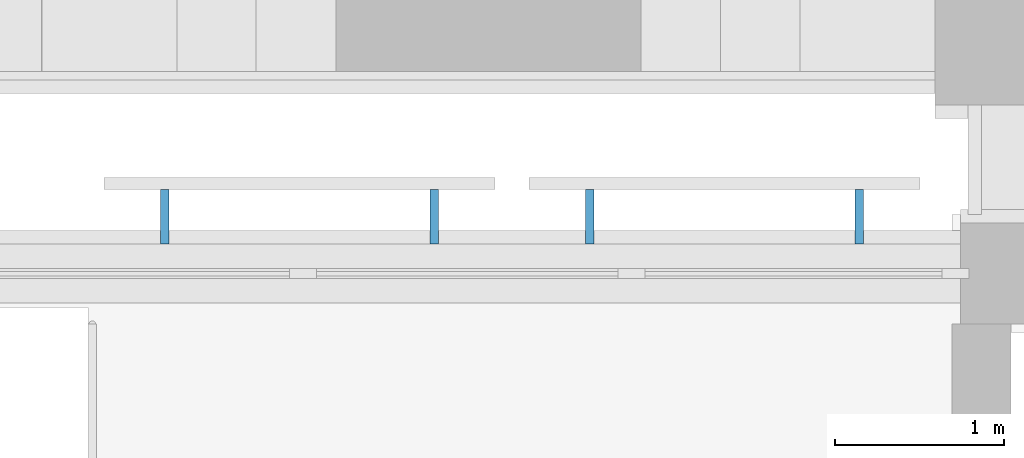
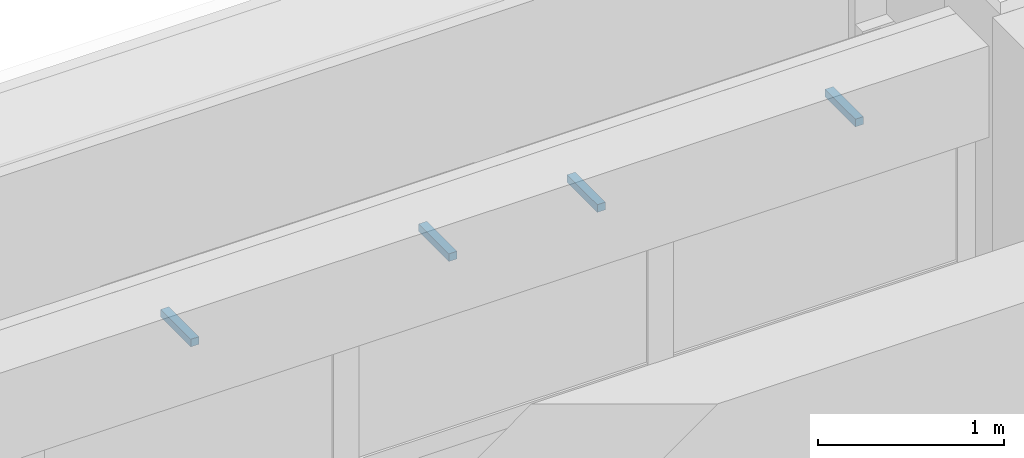
# One storey, part 51 of 68: 4 discrete accessories.
"""IFC4 building model written with IfcOpenShell, lengths in metres."""

from ifc_helpers import new_model, si_unit, direction, frame, origin, origin_2d, place, context, subcontext, project, spatial, rectangle, extrude, material, type_object, element, save


model = new_model("IFC4")

# Units and contexts
model_context = context("Model", 3, precision=1e-05, world=origin(), true_north=direction((0.0, 1.0)))
body_context = subcontext(model_context, "Body", "Model", "MODEL_VIEW")
ifc_project = project(units=[si_unit("LENGTHUNIT", "METRE"), si_unit("AREAUNIT", "SQUARE_METRE"), si_unit("VOLUMEUNIT", "CUBIC_METRE"), si_unit("PLANEANGLEUNIT", "RADIAN"), si_unit("MASSUNIT", "GRAM", prefix="KILO")], contexts=[model_context])

# Site, building, storey
site_placement = place(None, origin())
site = spatial("IfcSite", under=ifc_project, at=site_placement, CompositionType="ELEMENT")
building_placement = place(site_placement, origin())
building = spatial("IfcBuilding", under=site, at=building_placement, Name="Wasatch Bagh Community Centre", CompositionType="ELEMENT")
storey_placement = place(building_placement, frame((0.0, 0.0, 8.39990234375)))
storey = spatial("IfcBuildingStorey", under=building, at=storey_placement, Name="L02", CompositionType="ELEMENT", Elevation=8.39990234375)

# Discrete accessories
ifc_material = material(Name="Galvanised steel", Category="steel")
discrete_accessory_type = type_object("IfcDiscreteAccessoryType", Name="LW jali bracket", PredefinedType="BRACKET", material=ifc_material)
for number, where, z_axis, x_axis, name in (
    (1, (134.580078125, 98.137451171875, 3.39501953125), (0.0, 0.0, 1.0), (1.0, 0.0, 0.0), "Jali bracket"),
    (2, (136.179931640625, 98.137451171875, 3.39501953125), (0.0, 0.0, 1.0), (1.0, 0.0, 0.0), "Jali bracket"),
    (3, (137.10009765625, 98.137451171875, 3.39501953125), (0.0, 0.0, 1.0), (1.0, 0.0, 0.0), "Jali bracket"),
    (4, (138.699951171875, 98.137451171875, 3.39501953125), (0.0, 0.0, 1.0), (1.0, 0.0, 0.0), "Jali bracket"),
):
    element("IfcDiscreteAccessory", number, at=place(storey_placement, frame(where, z_axis=z_axis, x_axis=x_axis)), inside=storey, type_object=discrete_accessory_type, Name=name, PredefinedType="BRACKET", context=body_context, shape_type="SweptSolid", body=[
        extrude(rectangle(XDim=0.050048828125, YDim=0.324951171875, at=origin_2d()), origin(), (0.0, 0.0, 1.0), 0.050048828125),
    ])

save(model, "model.ifc")
